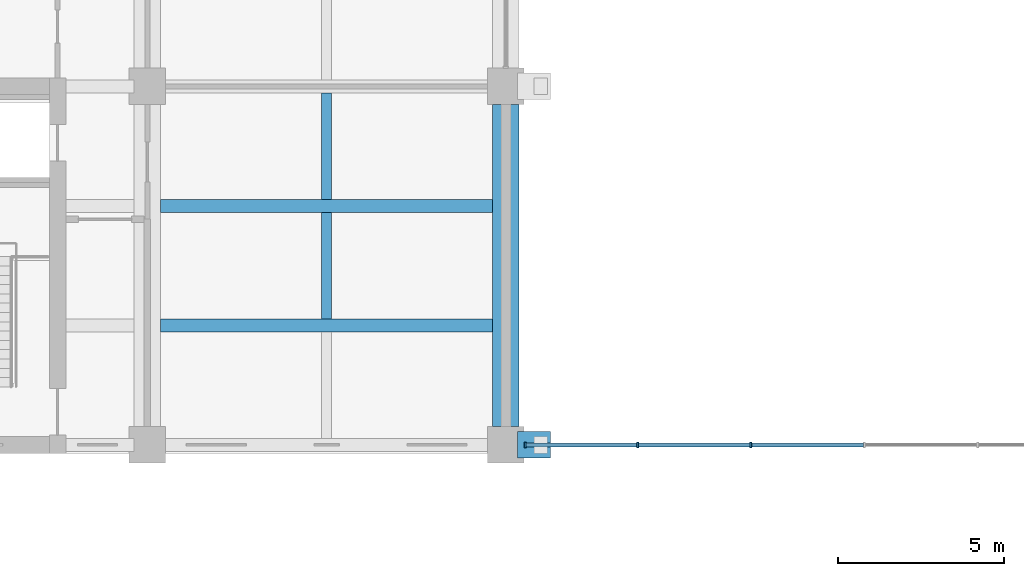
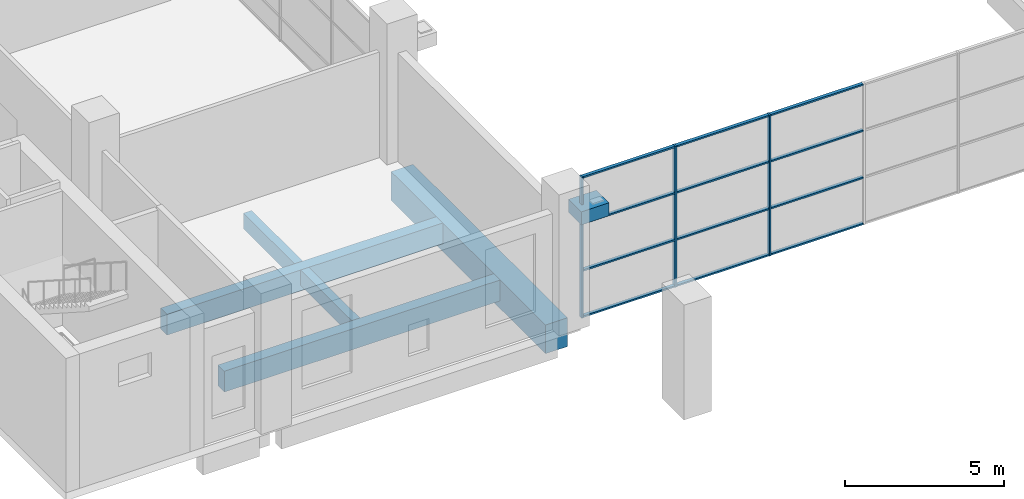
# One storey, part 2 of 38: 15 members, 6 beams, 1 element without a shape of its own.
"""IFC4 building model written with IfcOpenShell, lengths in metres."""

import ifcopenshell
import ifcopenshell.guid

model = None  # the IFC model being written
_history = None  # IfcOwnerHistory: only IFC2X3 demands one
_inside = {}  # id of a spatial element -> (the spatial element, [elements in it])
_under = {}  # id of a project, library or spatial element -> (it, [spatial elements below it])
_declared = {}  # id of a project -> (the project, [libraries it declares])
_typed = {}  # id of a type object -> (the type object, [elements of that type])
_made_of = {}  # id of a material, layer set ... -> (it, [elements and type objects made of it])


def new_model(schema):
    """Start an empty IFC model of exactly this schema.

    Asked for "IFC4X3", IfcOpenShell would pick the latest addendum, in which some entities
    have other attributes; the version numbers below select the first issue.
    IFC2X3 requires an IfcOwnerHistory on every rooted entity: one is made here for all.
    """
    global model, _history
    if schema == "IFC4X3":
        model = ifcopenshell.file(schema_version=(4, 3, 0, 0))
    else:
        model = ifcopenshell.file(schema=schema)
    _inside.clear()
    _under.clear()
    _declared.clear()
    _typed.clear()
    _made_of.clear()
    _history = None
    if model.schema == "IFC2X3":
        org = make("IfcOrganization", Name="unknown")
        user = make(
            "IfcPersonAndOrganization",
            ThePerson=make("IfcPerson", FamilyName="unknown"),
            TheOrganization=org,
        )
        app = make(
            "IfcApplication",
            ApplicationDeveloper=org,
            Version="unknown",
            ApplicationFullName="unknown",
            ApplicationIdentifier="unknown",
        )
        _history = make(
            "IfcOwnerHistory",
            OwningUser=user,
            OwningApplication=app,
            ChangeAction="ADDED",
            CreationDate=0,
        )
    return model


def make(cls, **values):
    """One entity of the class cls with the attributes given. An attribute that is None is left unset."""
    return model.create_entity(
        cls, **{name: value for name, value in values.items() if value is not None}
    )


def rooted(cls, **values):
    """An entity with a GlobalId (a new one), such as an element, a storey or a relation."""
    return make(cls, GlobalId=ifcopenshell.guid.new(), OwnerHistory=_history, **values)


def si_unit(unit_type, name, prefix=None):
    """IfcSIUnit, for example si_unit("LENGTHUNIT", "METRE", prefix="MILLI")."""
    return make("IfcSIUnit", UnitType=unit_type, Prefix=prefix, Name=name)


def assignment(units):
    """IfcUnitAssignment: the units of a project."""
    return None if units is None else make("IfcUnitAssignment", Units=units)


def point(xyz):
    """IfcCartesianPoint."""
    return None if xyz is None else make("IfcCartesianPoint", Coordinates=xyz)


def direction(xyz):
    """IfcDirection."""
    return None if xyz is None else make("IfcDirection", DirectionRatios=xyz)


def frame(location, z_axis=None, x_axis=None):
    """IfcAxis2Placement3D, a coordinate frame: its origin and axes. An axis left out is left unset."""
    return make(
        "IfcAxis2Placement3D",
        Location=point(location),
        Axis=direction(z_axis),
        RefDirection=direction(x_axis),
    )


def frame_2d(location, x_axis=None):
    """IfcAxis2Placement2D, a coordinate frame in the plane: its origin and x axis."""
    return make(
        "IfcAxis2Placement2D", Location=point(location), RefDirection=direction(x_axis)
    )


def origin():
    """The frame at (0, 0, 0) with its axes left unset."""
    return frame((0.0, 0.0, 0.0))


def origin_2d():
    """The frame at (0, 0) in the plane with its x axis left unset."""
    return frame_2d((0.0, 0.0))


def place(relative_to, where):
    """IfcLocalPlacement: puts the frame where relative to a parent placement (None: the world)."""
    return make(
        "IfcLocalPlacement", PlacementRelTo=relative_to, RelativePlacement=where
    )


def context(
    kind, dimensions, precision=None, world=None, true_north=None, identifier=None
):
    """IfcGeometricRepresentationContext, for example the 3D "Model" context."""
    return make(
        "IfcGeometricRepresentationContext",
        ContextIdentifier=identifier,
        ContextType=kind,
        CoordinateSpaceDimension=dimensions,
        Precision=precision,
        WorldCoordinateSystem=world,
        TrueNorth=true_north,
    )


def subcontext(parent, identifier, kind, view, scale=None):
    """IfcGeometricRepresentationSubContext, for example "Body" below "Model"."""
    return make(
        "IfcGeometricRepresentationSubContext",
        ContextIdentifier=identifier,
        ContextType=kind,
        ParentContext=parent,
        TargetScale=scale,
        TargetView=view,
    )


def project(units=None, contexts=None):
    """IfcProject with its units and contexts."""
    return rooted(
        "IfcProject",
        Name="project",
        RepresentationContexts=contexts,
        UnitsInContext=assignment(units),
    )


def spatial(cls, under=None, at=None, **own):
    """A site, building, storey or space (cls), placed at a placement, below another one or the project."""
    s = rooted(cls, ObjectPlacement=at, **own)
    if under is not None:
        _under.setdefault(under.id(), (under, []))[1].append(s)
    return s


def profile(cls, at=None, kind="AREA", **sizes):
    """A parametric profile (cls). Its sizes go by their IFC names, for example OverallWidth=200.0."""
    return make(cls, ProfileType=kind, Position=at, **sizes)


def rectangle(**sizes):
    """IfcRectangleProfileDef."""
    return profile("IfcRectangleProfileDef", **sizes)


def extrude(swept, where, along, depth):
    """IfcExtrudedAreaSolid: the profile swept, set in the frame where, extruded along a direction by depth."""
    return make(
        "IfcExtrudedAreaSolid",
        SweptArea=swept,
        Position=where,
        ExtrudedDirection=direction(along),
        Depth=depth,
    )


def shape(context_of_items, identifier, shape_type, items):
    """IfcShapeRepresentation: the items that make up one representation, for example the "Body"."""
    return make(
        "IfcShapeRepresentation",
        ContextOfItems=context_of_items,
        RepresentationIdentifier=identifier,
        RepresentationType=shape_type,
        Items=items,
    )


def material(Name=None, Category=None):
    """IfcMaterial."""
    return make("IfcMaterial", Name=Name, Category=Category)


def layer(
    of_material, thickness, ventilated=None, Name=None, Category=None, Priority=None
):
    """IfcMaterialLayer: one layer of a wall or slab, of a material (None: an air gap)."""
    return make(
        "IfcMaterialLayer",
        Material=of_material,
        LayerThickness=thickness,
        IsVentilated=ventilated,
        Name=Name,
        Category=Category,
        Priority=Priority,
    )


def layer_set(layers, Name=None):
    """IfcMaterialLayerSet."""
    return make("IfcMaterialLayerSet", MaterialLayers=layers, LayerSetName=Name)


def material_profile(
    of_material, cross_section, Name=None, Category=None, Priority=None
):
    """IfcMaterialProfile: a cross section and its material."""
    return make(
        "IfcMaterialProfile",
        Name=Name,
        Material=of_material,
        Profile=cross_section,
        Priority=Priority,
        Category=Category,
    )


def profile_set(profiles, Name=None, composite=None):
    """IfcMaterialProfileSet."""
    return make(
        "IfcMaterialProfileSet",
        Name=Name,
        MaterialProfiles=profiles,
        CompositeProfile=composite,
    )


def made_of(thing, what):
    """Note that an element or type object is made of a material, layer set ...; save() writes the relation."""
    if what is not None:
        _made_of.setdefault(what.id(), (what, []))[1].append(thing)
    return thing


def type_object(cls, material=None, **own):
    """A type object (cls), such as IfcWallType, which elements share."""
    return made_of(rooted(cls, **own), material)


def element(
    cls,
    number,
    at=None,
    inside=None,
    cuts=None,
    type_object=None,
    material=None,
    context=None,
    identifier="Body",
    shape_type=None,
    held_by="IfcProductDefinitionShape",
    body=None,
    shapes=None,
    **own,
):
    """One element of the class cls, such as IfcWall. Its Tag is "e" and its number.

    at: its placement. inside: the storey or other place that contains it. cuts: it is an
    opening in that element (IfcRelVoidsElement). A single representation is given by context,
    identifier, shape_type and body (its items); several are given by shapes. held_by: the class
    of the entity that holds the representations. save() writes the other relations.
    """
    e = rooted(cls, Tag="e%d" % number, ObjectPlacement=at, **own)
    if body is not None:
        shapes = [shape(context, identifier, shape_type, body)]
    if shapes is not None:
        e.Representation = make(held_by, Representations=shapes)
    if inside is not None:
        _inside.setdefault(inside.id(), (inside, []))[1].append(e)
    if cuts is not None:
        rooted(
            "IfcRelVoidsElement", RelatingBuildingElement=cuts, RelatedOpeningElement=e
        )
    if type_object is not None:
        _typed.setdefault(type_object.id(), (type_object, []))[1].append(e)
    return made_of(e, material)


def aggregate(whole, parts):
    """IfcRelAggregates: a whole, such as a stair, and the parts it consists of."""
    return rooted("IfcRelAggregates", RelatingObject=whole, RelatedObjects=parts)


def save(model, path):
    """Write the relations noted so far, then the file.

    IfcRelAggregates (storeys below a building ...), IfcRelContainedInSpatialStructure (elements
    in a storey), IfcRelDefinesByType, IfcRelAssociatesMaterial and IfcRelDeclares: one each for
    every whole, place, type object, material and project.
    """
    for whole, parts in _under.values():
        aggregate(whole, parts)
    for where, things in _inside.values():
        rooted(
            "IfcRelContainedInSpatialStructure",
            RelatedElements=things,
            RelatingStructure=where,
        )
    for kind, things in _typed.values():
        rooted("IfcRelDefinesByType", RelatedObjects=things, RelatingType=kind)
    for what, things in _made_of.values():
        rooted("IfcRelAssociatesMaterial", RelatedObjects=things, RelatingMaterial=what)
    for by, libraries in _declared.values():
        rooted("IfcRelDeclares", RelatingContext=by, RelatedDefinitions=libraries)
    model.write(path)


model = new_model("IFC4")

# Units and contexts
model_context = context("Model", 3, precision=1e-05, world=origin(), true_north=direction((0.0, 1.0)))
body_context = subcontext(model_context, "Body", "Model", "MODEL_VIEW")
ifc_project = project(units=[si_unit("LENGTHUNIT", "METRE"), si_unit("AREAUNIT", "SQUARE_METRE"), si_unit("VOLUMEUNIT", "CUBIC_METRE"), si_unit("PLANEANGLEUNIT", "RADIAN"), si_unit("MASSUNIT", "GRAM", prefix="KILO")], contexts=[model_context])

# Site, building, storey
site_placement = place(None, origin())
site = spatial("IfcSite", under=ifc_project, at=site_placement, CompositionType="ELEMENT")
building_placement = place(site_placement, origin())
building = spatial("IfcBuilding", under=site, at=building_placement, Name="Basin Gate Institute", CompositionType="ELEMENT")
storey_placement = place(building_placement, frame((0.0, 0.0, 16.800048828125)))
storey = spatial("IfcBuildingStorey", under=building, at=storey_placement, Name="L03", CompositionType="ELEMENT", Elevation=16.800048828125)

# Curtain wall, members
ifc_material_1 = material(Name="Aluminium and glass curtain wall", Category="aluminium")
ifc_layer = layer(ifc_material_1, 0.14990234375)
ifc_layer_set = layer_set([ifc_layer], Name="Atrium curtain wall CW81")
curtain_wall_type = type_object("IfcCurtainWallType", Name="Atrium curtain wall CW81", PredefinedType="NOTDEFINED", material=ifc_layer_set)
curtain_wall_placement = place(storey_placement, origin())
curtain_wall = element("IfcCurtainWall", 1, at=curtain_wall_placement, inside=storey, type_object=curtain_wall_type, material=ifc_layer_set, Name="Atrium end screen S L03", PredefinedType="NOTDEFINED")
ifc_material_2 = material(Name="Aluminium mullion", Category="aluminium")
ifc_material_profile_1 = material_profile(ifc_material_2, rectangle(XDim=0.159912109375, YDim=0.06005859375, at=origin_2d()), Name="Atrium mullion MU81 160 x 60")
ifc_profile_set_1 = profile_set([ifc_material_profile_1], Name="Aluminium mullion")
member_type_1 = type_object("IfcMemberType", Name="Atrium mullion MU81", PredefinedType="MULLION", material=ifc_profile_set_1)
member_1_placement = place(storey_placement, frame((79.780029296875, 35.10009765625, 0.0), z_axis=(0.0, 0.0, 1.0), x_axis=(0.0, 1.0, 0.0)))
member_1 = element("IfcMember", 2, at=member_1_placement, type_object=member_type_1, material=ifc_profile_set_1, Name="CW81 mullion 1", PredefinedType="MULLION", context=body_context, shape_type="SweptSolid", body=[
    extrude(rectangle(XDim=0.159912109375, YDim=0.06005859375, at=origin_2d()), origin(), (0.0, 0.0, 1.0), 5.39990234375),
])
member_2_placement = place(storey_placement, frame((83.166748046875, 35.10009765625, 0.0), z_axis=(0.0, 0.0, 1.0), x_axis=(0.0, 1.0, 0.0)))
member_2 = element("IfcMember", 3, at=member_2_placement, type_object=member_type_1, material=ifc_profile_set_1, Name="CW81 mullion 2", PredefinedType="MULLION", context=body_context, shape_type="SweptSolid", body=[
    extrude(rectangle(XDim=0.159912109375, YDim=0.06005859375, at=origin_2d()), origin(), (0.0, 0.0, 1.0), 5.39990234375),
])
member_3_placement = place(storey_placement, frame((86.583251953125, 35.10009765625, 0.0), z_axis=(0.0, 0.0, 1.0), x_axis=(0.0, 1.0, 0.0)))
member_3 = element("IfcMember", 4, at=member_3_placement, type_object=member_type_1, material=ifc_profile_set_1, Name="CW81 mullion 3", PredefinedType="MULLION", context=body_context, shape_type="SweptSolid", body=[
    extrude(rectangle(XDim=0.159912109375, YDim=0.06005859375, at=origin_2d()), origin(), (0.0, 0.0, 1.0), 5.39990234375),
])
ifc_material_3 = material(Name="Aluminium transom", Category="aluminium")
ifc_material_profile_2 = material_profile(ifc_material_3, rectangle(XDim=0.1201171875, YDim=0.06005859375, at=origin_2d()), Name="Atrium transom TR81 120 x 60")
ifc_profile_set_2 = profile_set([ifc_material_profile_2], Name="Aluminium transom")
member_type_2 = type_object("IfcMemberType", Name="Atrium transom TR81", PredefinedType="USERDEFINED", material=ifc_profile_set_2)
member_4_placement = place(storey_placement, frame((79.81005859375, 35.10009765625, 0.030029296875), z_axis=(1.0, 0.0, 0.0), x_axis=(0.0, 1.0, 0.0)))
member_4 = element("IfcMember", 5, at=member_4_placement, type_object=member_type_2, material=ifc_profile_set_2, Name="CW81 transom 1.1", ObjectType="TRANSOM", PredefinedType="USERDEFINED", context=body_context, shape_type="SweptSolid", body=[
    extrude(rectangle(XDim=0.1201171875, YDim=0.06005859375, at=origin_2d()), origin(), (0.0, 0.0, 1.0), 3.32666015625),
])
member_5_placement = place(storey_placement, frame((79.81005859375, 35.10009765625, 1.800048828125), z_axis=(1.0, 0.0, 0.0), x_axis=(0.0, 1.0, 0.0)))
member_5 = element("IfcMember", 6, at=member_5_placement, type_object=member_type_2, material=ifc_profile_set_2, Name="CW81 transom 1.2", ObjectType="TRANSOM", PredefinedType="USERDEFINED", context=body_context, shape_type="SweptSolid", body=[
    extrude(rectangle(XDim=0.1201171875, YDim=0.06005859375, at=origin_2d()), origin(), (0.0, 0.0, 1.0), 3.32666015625),
])
member_6_placement = place(storey_placement, frame((79.81005859375, 35.10009765625, 3.599853515625), z_axis=(1.0, 0.0, 0.0), x_axis=(0.0, 1.0, 0.0)))
member_6 = element("IfcMember", 7, at=member_6_placement, type_object=member_type_2, material=ifc_profile_set_2, Name="CW81 transom 1.3", ObjectType="TRANSOM", PredefinedType="USERDEFINED", context=body_context, shape_type="SweptSolid", body=[
    extrude(rectangle(XDim=0.1201171875, YDim=0.06005859375, at=origin_2d()), origin(), (0.0, 0.0, 1.0), 3.32666015625),
])
member_7_placement = place(storey_placement, frame((79.81005859375, 35.10009765625, 5.369873046875), z_axis=(1.0, 0.0, 0.0), x_axis=(0.0, 1.0, 0.0)))
member_7 = element("IfcMember", 8, at=member_7_placement, type_object=member_type_2, material=ifc_profile_set_2, Name="CW81 transom 1.4", ObjectType="TRANSOM", PredefinedType="USERDEFINED", context=body_context, shape_type="SweptSolid", body=[
    extrude(rectangle(XDim=0.1201171875, YDim=0.06005859375, at=origin_2d()), origin(), (0.0, 0.0, 1.0), 3.32666015625),
])
member_8_placement = place(storey_placement, frame((83.19677734375, 35.10009765625, 0.030029296875), z_axis=(1.0, 0.0, 0.0), x_axis=(0.0, 1.0, 0.0)))
member_8 = element("IfcMember", 9, at=member_8_placement, type_object=member_type_2, material=ifc_profile_set_2, Name="CW81 transom 2.1", ObjectType="TRANSOM", PredefinedType="USERDEFINED", context=body_context, shape_type="SweptSolid", body=[
    extrude(rectangle(XDim=0.1201171875, YDim=0.06005859375, at=origin_2d()), origin(), (0.0, 0.0, 1.0), 3.3564453125),
])
member_9_placement = place(storey_placement, frame((83.19677734375, 35.10009765625, 1.800048828125), z_axis=(1.0, 0.0, 0.0), x_axis=(0.0, 1.0, 0.0)))
member_9 = element("IfcMember", 10, at=member_9_placement, type_object=member_type_2, material=ifc_profile_set_2, Name="CW81 transom 2.2", ObjectType="TRANSOM", PredefinedType="USERDEFINED", context=body_context, shape_type="SweptSolid", body=[
    extrude(rectangle(XDim=0.1201171875, YDim=0.06005859375, at=origin_2d()), origin(), (0.0, 0.0, 1.0), 3.3564453125),
])
member_10_placement = place(storey_placement, frame((83.19677734375, 35.10009765625, 3.599853515625), z_axis=(1.0, 0.0, 0.0), x_axis=(0.0, 1.0, 0.0)))
member_10 = element("IfcMember", 11, at=member_10_placement, type_object=member_type_2, material=ifc_profile_set_2, Name="CW81 transom 2.3", ObjectType="TRANSOM", PredefinedType="USERDEFINED", context=body_context, shape_type="SweptSolid", body=[
    extrude(rectangle(XDim=0.1201171875, YDim=0.06005859375, at=origin_2d()), origin(), (0.0, 0.0, 1.0), 3.3564453125),
])
member_11_placement = place(storey_placement, frame((83.19677734375, 35.10009765625, 5.369873046875), z_axis=(1.0, 0.0, 0.0), x_axis=(0.0, 1.0, 0.0)))
member_11 = element("IfcMember", 12, at=member_11_placement, type_object=member_type_2, material=ifc_profile_set_2, Name="CW81 transom 2.4", ObjectType="TRANSOM", PredefinedType="USERDEFINED", context=body_context, shape_type="SweptSolid", body=[
    extrude(rectangle(XDim=0.1201171875, YDim=0.06005859375, at=origin_2d()), origin(), (0.0, 0.0, 1.0), 3.3564453125),
])
member_12_placement = place(storey_placement, frame((86.61328125, 35.10009765625, 0.030029296875), z_axis=(1.0, 0.0, 0.0), x_axis=(0.0, 1.0, 0.0)))
member_12 = element("IfcMember", 13, at=member_12_placement, type_object=member_type_2, material=ifc_profile_set_2, Name="CW81 transom 3.1", ObjectType="TRANSOM", PredefinedType="USERDEFINED", context=body_context, shape_type="SweptSolid", body=[
    extrude(rectangle(XDim=0.1201171875, YDim=0.06005859375, at=origin_2d()), origin(), (0.0, 0.0, 1.0), 3.356689453125),
])
member_13_placement = place(storey_placement, frame((86.61328125, 35.10009765625, 1.800048828125), z_axis=(1.0, 0.0, 0.0), x_axis=(0.0, 1.0, 0.0)))
member_13 = element("IfcMember", 14, at=member_13_placement, type_object=member_type_2, material=ifc_profile_set_2, Name="CW81 transom 3.2", ObjectType="TRANSOM", PredefinedType="USERDEFINED", context=body_context, shape_type="SweptSolid", body=[
    extrude(rectangle(XDim=0.1201171875, YDim=0.06005859375, at=origin_2d()), origin(), (0.0, 0.0, 1.0), 3.356689453125),
])
member_14_placement = place(storey_placement, frame((86.61328125, 35.10009765625, 3.599853515625), z_axis=(1.0, 0.0, 0.0), x_axis=(0.0, 1.0, 0.0)))
member_14 = element("IfcMember", 15, at=member_14_placement, type_object=member_type_2, material=ifc_profile_set_2, Name="CW81 transom 3.3", ObjectType="TRANSOM", PredefinedType="USERDEFINED", context=body_context, shape_type="SweptSolid", body=[
    extrude(rectangle(XDim=0.1201171875, YDim=0.06005859375, at=origin_2d()), origin(), (0.0, 0.0, 1.0), 3.356689453125),
])
member_15_placement = place(storey_placement, frame((86.61328125, 35.10009765625, 5.369873046875), z_axis=(1.0, 0.0, 0.0), x_axis=(0.0, 1.0, 0.0)))
member_15 = element("IfcMember", 16, at=member_15_placement, type_object=member_type_2, material=ifc_profile_set_2, Name="CW81 transom 3.4", ObjectType="TRANSOM", PredefinedType="USERDEFINED", context=body_context, shape_type="SweptSolid", body=[
    extrude(rectangle(XDim=0.1201171875, YDim=0.06005859375, at=origin_2d()), origin(), (0.0, 0.0, 1.0), 3.356689453125),
])
aggregate(curtain_wall, [member_1, member_2, member_3, member_4, member_5, member_6, member_7, member_8, member_9, member_10, member_11, member_12, member_13, member_14, member_15])

# Beams
ifc_material_4 = material(Name="Concrete 40 MPa", Category="concrete")
ifc_material_profile_3 = material_profile(ifc_material_4, rectangle(XDim=0.39990234375, YDim=0.800048828125, at=origin_2d()), Name="Beam B2 400 x 800")
ifc_profile_set_3 = profile_set([ifc_material_profile_3], Name="Concrete 40 MPa")
beam_type_1 = type_object("IfcBeamType", Name="Beam B2 R180", PredefinedType="BEAM", material=ifc_profile_set_3)
for number, where, z_axis, x_axis, name in (
    (17, (68.800048828125, 38.699951171875, -0.699951171875), (1.0, 0.0, 0.0), (0.0, 1.0, 0.0), "BEAM/L03/W/EW/02"),
    (18, (68.800048828125, 42.300048828125, -0.699951171875), (1.0, 0.0, 0.0), (0.0, 1.0, 0.0), "BEAM/L03/W/EW/03"),
):
    element("IfcBeam", number, at=place(storey_placement, frame(where, z_axis=z_axis, x_axis=x_axis)), inside=storey, type_object=beam_type_1, material=ifc_profile_set_3, Name=name, PredefinedType="BEAM", context=body_context, shape_type="SweptSolid", body=[
        extrude(rectangle(XDim=0.39990234375, YDim=0.800048828125, at=origin_2d()), origin(), (0.0, 0.0, 1.0), 10.0),
    ])
ifc_material_5 = material(Name="Concrete 40 MPa", Category="concrete")
ifc_material_profile_4 = material_profile(ifc_material_5, rectangle(XDim=0.800048828125, YDim=0.5, at=origin_2d()), Name="Beam CB1 800 x 500")
ifc_profile_set_4 = profile_set([ifc_material_profile_4], Name="Concrete 40 MPa")
beam_type_2 = type_object("IfcBeamType", Name="Beam CB1 R180", PredefinedType="BEAM", material=ifc_profile_set_4)
beam_1_placement = place(storey_placement, frame((79.550048828125, 35.10009765625, 4.099853515625), z_axis=(1.0, 0.0, 0.0), x_axis=(0.0, 1.0, 0.0)))
element("IfcBeam", 19, at=beam_1_placement, inside=storey, type_object=beam_type_2, material=ifc_profile_set_4, Name="Atrium shell corbel R180 1W", PredefinedType="BEAM", context=body_context, shape_type="SweptSolid", body=[
    extrude(rectangle(XDim=0.800048828125, YDim=0.5, at=origin_2d()), origin(), (0.0, 0.0, 1.0), 1.0),
])
ifc_material_6 = material(Name="Concrete 50 MPa", Category="concrete")
ifc_material_profile_5 = material_profile(ifc_material_6, rectangle(XDim=0.800048828125, YDim=1.10009765625, at=origin_2d()), Name="Girder G2 800 x 1100")
ifc_profile_set_5 = profile_set([ifc_material_profile_5], Name="Concrete 50 MPa")
beam_type_3 = type_object("IfcBeamType", Name="Girder G2 R180", PredefinedType="BEAM", material=ifc_profile_set_5)
beam_2_placement = place(storey_placement, frame((79.199951171875, 35.64990234375, -0.85009765625), z_axis=(0.0, 1.0, 0.0), x_axis=(-1.0, 0.0, 0.0)))
element("IfcBeam", 20, at=beam_2_placement, inside=storey, type_object=beam_type_3, material=ifc_profile_set_5, Name="GIR/L03/W6/1", PredefinedType="BEAM", context=body_context, shape_type="SweptSolid", body=[
    extrude(rectangle(XDim=0.800048828125, YDim=1.10009765625, at=origin_2d()), origin(), (0.0, 0.0, 1.0), 9.7001953125),
])
ifc_material_7 = material(Name="Concrete 40 MPa", Category="concrete")
ifc_material_profile_6 = material_profile(ifc_material_7, rectangle(XDim=0.300048828125, YDim=0.60009765625, at=origin_2d()), Name="Rib R2 300 x 600")
ifc_profile_set_6 = profile_set([ifc_material_profile_6], Name="Concrete 40 MPa")
beam_type_4 = type_object("IfcBeamType", Name="Rib R2 R180", PredefinedType="JOIST", material=ifc_profile_set_6)
beam_3_placement = place(storey_placement, frame((73.800048828125, 38.89990234375, -0.60009765625), z_axis=(0.0, 1.0, 0.0), x_axis=(-1.0, 0.0, 0.0)))
element("IfcBeam", 21, at=beam_3_placement, inside=storey, type_object=beam_type_4, material=ifc_profile_set_6, Name="BEAM/L03/W/RIB/02", PredefinedType="JOIST", context=body_context, shape_type="SweptSolid", body=[
    extrude(rectangle(XDim=0.300048828125, YDim=0.60009765625, at=origin_2d()), origin(), (0.0, 0.0, 1.0), 3.2001953125),
])
beam_4_placement = place(storey_placement, frame((73.800048828125, 42.5, -0.60009765625), z_axis=(0.0, 1.0, 0.0), x_axis=(-1.0, 0.0, 0.0)))
element("IfcBeam", 22, at=beam_4_placement, inside=storey, type_object=beam_type_4, material=ifc_profile_set_6, Name="BEAM/L03/W/RIB/03", PredefinedType="JOIST", context=body_context, shape_type="SweptSolid", body=[
    extrude(rectangle(XDim=0.300048828125, YDim=0.60009765625, at=origin_2d()), origin(), (0.0, 0.0, 1.0), 3.199951171875),
])

save(model, "model.ifc")
